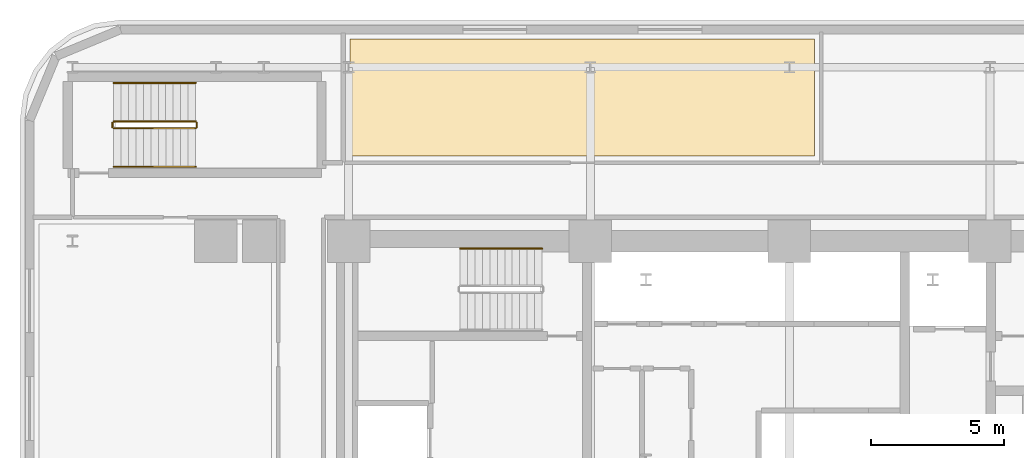
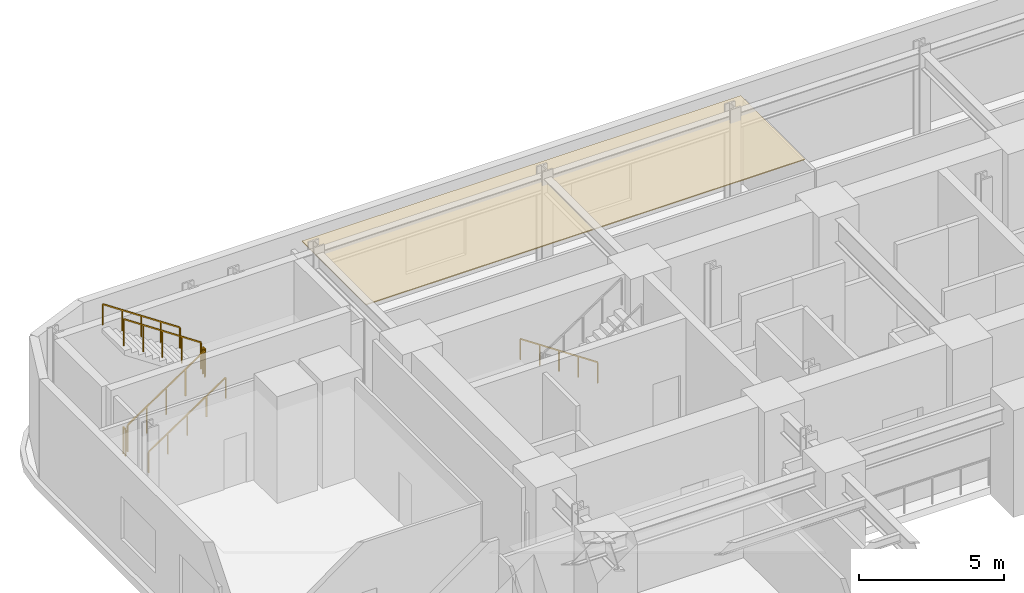
# One storey, part 13 of 14: 7 railings, 1 covering.
"""IFC4 building model written with IfcOpenShell, lengths in metres."""

from ifc_helpers import new_model, si_unit, direction, frame, origin, origin_2d, place, context, subcontext, project, spatial, polyline, rectangle, outline, extrude, material, layer, layer_set, type_object, element, save


model = new_model("IFC4")

# Units and contexts
model_context = context("Model", 3, precision=1e-05, world=origin(), true_north=direction((0.0, 1.0)))
body_context = subcontext(model_context, "Body", "Model", "MODEL_VIEW")
ifc_project = project(units=[si_unit("LENGTHUNIT", "METRE"), si_unit("AREAUNIT", "SQUARE_METRE"), si_unit("VOLUMEUNIT", "CUBIC_METRE"), si_unit("PLANEANGLEUNIT", "RADIAN"), si_unit("MASSUNIT", "GRAM", prefix="KILO")], contexts=[model_context])

# Site, building, storey
site_placement = place(None, origin())
site = spatial("IfcSite", under=ifc_project, at=site_placement, CompositionType="ELEMENT")
building_placement = place(site_placement, origin())
building = spatial("IfcBuilding", under=site, at=building_placement, Name="Zarnavel Station Tower", CompositionType="ELEMENT")
storey_placement = place(building_placement, frame((0.0, 0.0, 10.39990234375)))
storey = spatial("IfcBuildingStorey", under=building, at=storey_placement, Name="L03", CompositionType="ELEMENT", Elevation=10.39990234375)

# Covering
ifc_material_1 = material(Name="Perforated Gypsum and Mineral-Wool Acoustic Ceiling", Category="concrete")
ifc_layer = layer(ifc_material_1, 0.0400390625)
ifc_layer_set = layer_set([ifc_layer], Name="COV_CEIL_ACOUSTIC")
covering_type = type_object("IfcCoveringType", Name="COV_CEIL_ACOUSTIC", PredefinedType="CEILING", material=ifc_layer_set)
covering_placement = place(storey_placement, frame((0.0, 0.0, 3.880126953125)))
element("IfcCovering", 1, at=covering_placement, inside=storey, type_object=covering_type, Name="L03 MGT Acoustic Ceiling", PredefinedType="CEILING", context=body_context, shape_type="SweptSolid", body=[
    extrude(outline(polyline([(12.25, 40.25), (29.75, 40.25), (29.75, 44.669921875), (12.25, 44.669921875), (12.25, 40.25)])), origin(), (0.0, 0.0, 1.0), 0.0400390625),
])

# Railings
ifc_material_2 = material(Name="Painted Steel S355J2 Balustrade", Category="steel")
railing_type_1 = type_object("IfcRailingType", Name="GR_INT_1150", PredefinedType="GUARDRAIL", material=ifc_material_2)
railing_1_placement = place(storey_placement, frame((3.35009765625, 41.300048828125, 0.1875)))
element("IfcRailing", 2, at=railing_1_placement, inside=storey, type_object=railing_type_1, Name="L03 ST4 stair guard 1", PredefinedType="GUARDRAIL", context=body_context, shape_type="SweptSolid", body=[
    extrude(rectangle(XDim=0.048095703125, YDim=0.048095703125, at=origin_2d()), frame((0.001708984375, 0.0, 1.126953125), z_axis=(0.830893310487, 0.0, 0.556431762742), x_axis=(0.0, 1.0, 0.0)), (0.0, 0.0, 1.0), 3.70263671875),
    extrude(rectangle(XDim=0.0419921875, YDim=0.0419921875, at=origin_2d()), origin(), (0.0, 0.0, 1.0), 1.101806640625),
    extrude(rectangle(XDim=0.0419921875, YDim=0.0419921875, at=origin_2d()), frame((0.77001953125, 0.0, 0.515625)), (0.0, 0.0, 1.0), 1.101806640625),
    extrude(rectangle(XDim=0.0419921875, YDim=0.0419921875, at=origin_2d()), frame((1.5400390625, 0.0, 1.03125)), (0.0, 0.0, 1.0), 1.101806640625),
    extrude(rectangle(XDim=0.0419921875, YDim=0.0419921875, at=origin_2d()), frame((2.309814453125, 0.0, 1.546875)), (0.0, 0.0, 1.0), 1.101806640625),
    extrude(rectangle(XDim=0.0419921875, YDim=0.0419921875, at=origin_2d()), frame((3.079833984375, 0.0, 2.0625)), (0.0, 0.0, 1.0), 1.101806640625),
])
railing_2_placement = place(storey_placement, frame((6.47998046875, 41.35009765625, 2.25)))
element("IfcRailing", 3, at=railing_2_placement, inside=storey, type_object=railing_type_1, Name="L03 ST4 stair guard 2", PredefinedType="GUARDRAIL", context=body_context, shape_type="SweptSolid", body=[
    extrude(rectangle(XDim=0.048095703125, YDim=0.048095703125, at=origin_2d()), frame((0.0, 0.001953125, 1.1259765625), z_axis=(0.0, 1.0, 0.0), x_axis=(-1.0, 0.0, 0.0)), (0.0, 0.0, 1.0), 0.156005859375),
    extrude(rectangle(XDim=0.0419921875, YDim=0.0419921875, at=origin_2d()), origin(), (0.0, 0.0, 1.0), 1.101806640625),
    extrude(rectangle(XDim=0.0419921875, YDim=0.0419921875, at=origin_2d()), frame((0.0, 0.159912109375, 0.0)), (0.0, 0.0, 1.0), 1.101806640625),
])
railing_3_placement = place(storey_placement, frame((6.429931640625, 41.56005859375, 2.4375)))
element("IfcRailing", 4, at=railing_3_placement, inside=storey, type_object=railing_type_1, Name="L03 ST4 stair guard 3", PredefinedType="GUARDRAIL", context=body_context, shape_type="SweptSolid", body=[
    extrude(rectangle(XDim=0.048095703125, YDim=0.048095703125, at=origin_2d()), frame((-0.001708984375, 0.0, 1.126953125), z_axis=(-0.830893310487, 0.0, 0.556431762742), x_axis=(0.0, -1.0, 0.0)), (0.0, 0.0, 1.0), 3.70263671875),
    extrude(rectangle(XDim=0.0419921875, YDim=0.0419921875, at=origin_2d()), origin(), (0.0, 0.0, 1.0), 1.101806640625),
    extrude(rectangle(XDim=0.0419921875, YDim=0.0419921875, at=origin_2d()), frame((-0.77001953125, 0.0, 0.515625)), (0.0, 0.0, 1.0), 1.101806640625),
    extrude(rectangle(XDim=0.0419921875, YDim=0.0419921875, at=origin_2d()), frame((-1.5400390625, 0.0, 1.03125)), (0.0, 0.0, 1.0), 1.101806640625),
    extrude(rectangle(XDim=0.0419921875, YDim=0.0419921875, at=origin_2d()), frame((-2.309814453125, 0.0, 1.546875)), (0.0, 0.0, 1.0), 1.101806640625),
    extrude(rectangle(XDim=0.0419921875, YDim=0.0419921875, at=origin_2d()), frame((-3.079833984375, 0.0, 2.0625)), (0.0, 0.0, 1.0), 1.101806640625),
])
railing_4_placement = place(storey_placement, frame((3.300048828125, 41.35009765625, 0.0)))
element("IfcRailing", 5, at=railing_4_placement, inside=storey, type_object=railing_type_1, Name="L03 ST4 stair guard 4", PredefinedType="GUARDRAIL", context=body_context, shape_type="SweptSolid", body=[
    extrude(rectangle(XDim=0.048095703125, YDim=0.048095703125, at=origin_2d()), frame((0.0, 0.001953125, 1.1259765625), z_axis=(0.0, 1.0, 0.0), x_axis=(-1.0, 0.0, 0.0)), (0.0, 0.0, 1.0), 0.156005859375),
    extrude(rectangle(XDim=0.0419921875, YDim=0.0419921875, at=origin_2d()), origin(), (0.0, 0.0, 1.0), 1.101806640625),
    extrude(rectangle(XDim=0.0419921875, YDim=0.0419921875, at=origin_2d()), frame((0.0, 0.159912109375, 0.0)), (0.0, 0.0, 1.0), 1.101806640625),
])
ifc_material_3 = material(Name="Brushed Stainless Steel S355J2 Handrail", Category="steel")
railing_type_2 = type_object("IfcRailingType", Name="HR_STAIR_900", PredefinedType="HANDRAIL", material=ifc_material_3)
railing_5_placement = place(storey_placement, frame((19.47998046875, 36.77001953125, 0.1875)))
element("IfcRailing", 6, at=railing_5_placement, inside=storey, type_object=railing_type_2, Name="L03 ST1 stair handrail 1", PredefinedType="HANDRAIL", context=body_context, shape_type="SweptSolid", body=[
    extrude(rectangle(XDim=0.048095703125, YDim=0.048095703125, at=origin_2d()), frame((-0.001708984375, 0.0, 0.876953125), z_axis=(-0.830913701846, 0.0, 0.55640131208), x_axis=(0.0, -1.0, 0.0)), (0.0, 0.0, 1.0), 3.702880859375),
    extrude(rectangle(XDim=0.0419921875, YDim=0.0419921875, at=origin_2d()), origin(), (0.0, 0.0, 1.0), 0.851806640625),
    extrude(rectangle(XDim=0.0419921875, YDim=0.0419921875, at=origin_2d()), frame((-0.77001953125, 0.0, 0.515625)), (0.0, 0.0, 1.0), 0.851806640625),
    extrude(rectangle(XDim=0.0419921875, YDim=0.0419921875, at=origin_2d()), frame((-1.5400390625, 0.0, 1.03125)), (0.0, 0.0, 1.0), 0.851806640625),
    extrude(rectangle(XDim=0.0419921875, YDim=0.0419921875, at=origin_2d()), frame((-2.31005859375, 0.0, 1.546875)), (0.0, 0.0, 1.0), 0.851806640625),
    extrude(rectangle(XDim=0.0419921875, YDim=0.0419921875, at=origin_2d()), frame((-3.080078125, 0.0, 2.0625)), (0.0, 0.0, 1.0), 0.851806640625),
])
railing_6_placement = place(storey_placement, frame((3.35009765625, 39.85009765625, 0.1875)))
element("IfcRailing", 7, at=railing_6_placement, inside=storey, type_object=railing_type_2, Name="L03 ST4 stair handrail 1", PredefinedType="HANDRAIL", context=body_context, shape_type="SweptSolid", body=[
    extrude(rectangle(XDim=0.048095703125, YDim=0.048095703125, at=origin_2d()), frame((0.001708984375, 0.0, 0.876953125), z_axis=(0.830893310487, 0.0, 0.556431762742), x_axis=(0.0, 1.0, 0.0)), (0.0, 0.0, 1.0), 3.70263671875),
    extrude(rectangle(XDim=0.0419921875, YDim=0.0419921875, at=origin_2d()), origin(), (0.0, 0.0, 1.0), 0.851806640625),
    extrude(rectangle(XDim=0.0419921875, YDim=0.0419921875, at=origin_2d()), frame((0.77001953125, 0.0, 0.515625)), (0.0, 0.0, 1.0), 0.851806640625),
    extrude(rectangle(XDim=0.0419921875, YDim=0.0419921875, at=origin_2d()), frame((1.5400390625, 0.0, 1.03125)), (0.0, 0.0, 1.0), 0.851806640625),
    extrude(rectangle(XDim=0.0419921875, YDim=0.0419921875, at=origin_2d()), frame((2.309814453125, 0.0, 1.546875)), (0.0, 0.0, 1.0), 0.851806640625),
    extrude(rectangle(XDim=0.0419921875, YDim=0.0419921875, at=origin_2d()), frame((3.079833984375, 0.0, 2.0625)), (0.0, 0.0, 1.0), 0.851806640625),
])
railing_7_placement = place(storey_placement, frame((6.429931640625, 43.010009765625, 2.4375)))
element("IfcRailing", 8, at=railing_7_placement, inside=storey, type_object=railing_type_2, Name="L03 ST4 stair handrail 2", PredefinedType="HANDRAIL", context=body_context, shape_type="SweptSolid", body=[
    extrude(rectangle(XDim=0.048095703125, YDim=0.048095703125, at=origin_2d()), frame((-0.001708984375, 0.0, 0.876953125), z_axis=(-0.830893310487, 0.0, 0.556431762742), x_axis=(0.0, -1.0, 0.0)), (0.0, 0.0, 1.0), 3.70263671875),
    extrude(rectangle(XDim=0.0419921875, YDim=0.0419921875, at=origin_2d()), origin(), (0.0, 0.0, 1.0), 0.851806640625),
    extrude(rectangle(XDim=0.0419921875, YDim=0.0419921875, at=origin_2d()), frame((-0.77001953125, 0.0, 0.515625)), (0.0, 0.0, 1.0), 0.851806640625),
    extrude(rectangle(XDim=0.0419921875, YDim=0.0419921875, at=origin_2d()), frame((-1.5400390625, 0.0, 1.03125)), (0.0, 0.0, 1.0), 0.851806640625),
    extrude(rectangle(XDim=0.0419921875, YDim=0.0419921875, at=origin_2d()), frame((-2.309814453125, 0.0, 1.546875)), (0.0, 0.0, 1.0), 0.851806640625),
    extrude(rectangle(XDim=0.0419921875, YDim=0.0419921875, at=origin_2d()), frame((-3.079833984375, 0.0, 2.0625)), (0.0, 0.0, 1.0), 0.851806640625),
])

save(model, "model.ifc")
